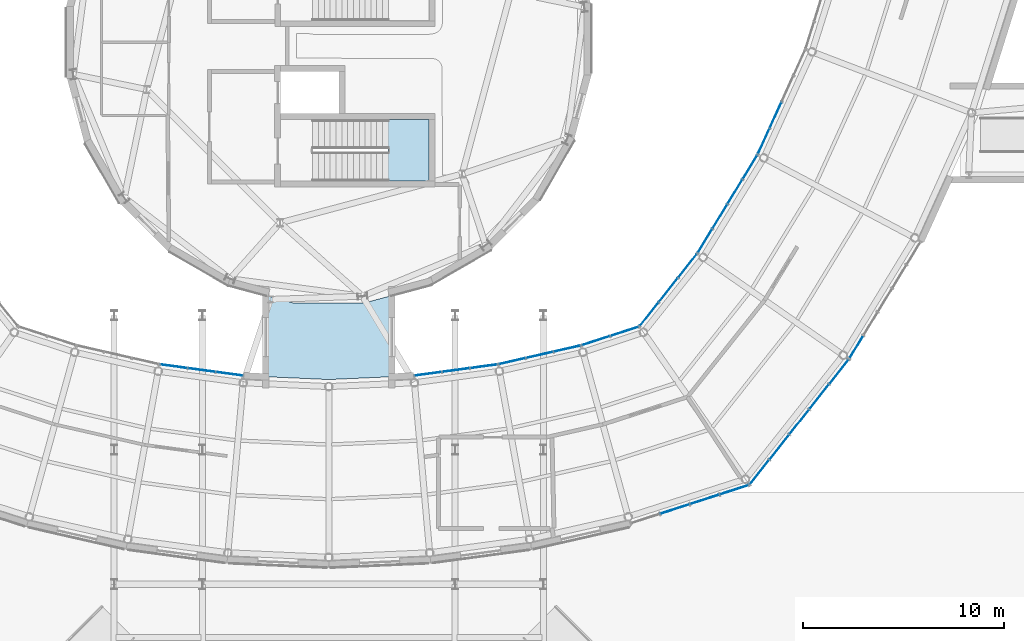
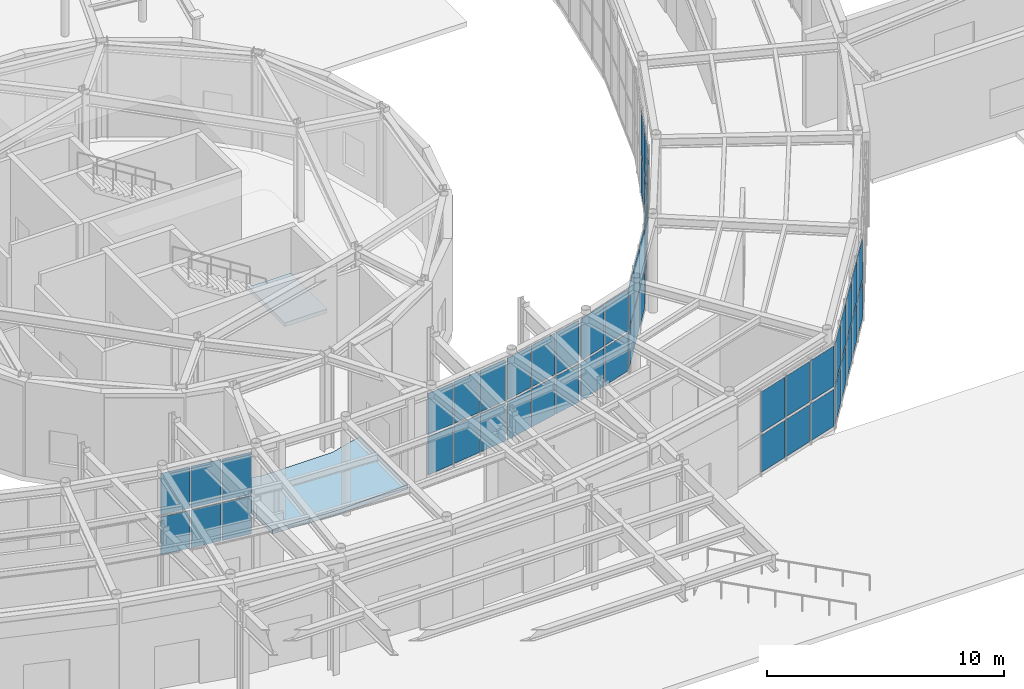
# One storey, part 58 of 97: 57 plates, 2 slabs, 11 elements without a shape of their own.
"""IFC4 building model written with IfcOpenShell, lengths in metres."""

from ifc_helpers import new_model, si_unit, direction, frame, origin, origin_2d, place, context, subcontext, project, spatial, polyline, rectangle, outline, extrude, material, layer, layer_set, type_object, element, aggregate, save


model = new_model("IFC4")

# Units and contexts
model_context = context("Model", 3, precision=1e-05, world=origin(), true_north=direction((0.0, 1.0)))
body_context = subcontext(model_context, "Body", "Model", "MODEL_VIEW")
ifc_project = project(units=[si_unit("LENGTHUNIT", "METRE"), si_unit("AREAUNIT", "SQUARE_METRE"), si_unit("VOLUMEUNIT", "CUBIC_METRE"), si_unit("PLANEANGLEUNIT", "RADIAN"), si_unit("MASSUNIT", "GRAM", prefix="KILO")], contexts=[model_context])

# Site, building, storey
site_placement = place(None, origin())
site = spatial("IfcSite", under=ifc_project, at=site_placement, CompositionType="ELEMENT")
building_placement = place(site_placement, origin())
building = spatial("IfcBuilding", under=site, at=building_placement, Name="Varnklinge Art Gallery", CompositionType="ELEMENT")
storey_placement = place(building_placement, origin())
storey = spatial("IfcBuildingStorey", under=building, at=storey_placement, Name="L00", CompositionType="ELEMENT", Elevation=0.0)

# Curtain wall, plates
ifc_material_1 = material(Name="Anodised Aluminium", Category="aluminium")
curtain_wall_type_1 = type_object("IfcCurtainWallType", Name="CW-R03", PredefinedType="USERDEFINED", material=ifc_material_1)
curtain_wall_1_placement = place(storey_placement, origin())
curtain_wall_1 = element("IfcCurtainWall", 1, at=curtain_wall_1_placement, inside=storey, type_object=curtain_wall_type_1, Name="L00 Curtain Wall CW-V2I-L00-01", ObjectType="UNITISED CURTAIN WALL", PredefinedType="USERDEFINED")
ifc_material_2 = material(Name="Insulated Low-E Triple Glazing", Category="glass")
ifc_layer_1 = layer(ifc_material_2, 0.031982421875)
ifc_layer_set_1 = layer_set([ifc_layer_1], Name="Insulated Low-E Triple Glazing")
plate_type_1 = type_object("IfcPlateType", Name="GLZ-32", PredefinedType="CURTAIN_PANEL", material=ifc_layer_set_1)
plate_1_placement = place(storey_placement, frame((93.385009765625, 27.2763671875, 0.1181640625), z_axis=(0.0, 0.0, 1.0), x_axis=(-0.620737354217, -0.784018582101, 0.0)))
plate_1 = element("IfcPlate", 2, at=plate_1_placement, type_object=plate_type_1, Name="CW-V2I-L00-01 Glazing Panel 1.1", PredefinedType="CURTAIN_PANEL", context=body_context, shape_type="SweptSolid", body=[
    extrude(rectangle(XDim=1.4658203125, YDim=0.031982421875, at=origin_2d()), origin(), (0.0, 0.0, 1.0), 1.950439453125),
])
plate_2_placement = place(storey_placement, frame((93.385009765625, 27.2763671875, 2.1845703125), z_axis=(0.0, 0.0, 1.0), x_axis=(-0.620737354217, -0.784018582101, 0.0)))
plate_2 = element("IfcPlate", 3, at=plate_2_placement, type_object=plate_type_1, Name="CW-V2I-L00-01 Glazing Panel 1.2", PredefinedType="CURTAIN_PANEL", context=body_context, shape_type="SweptSolid", body=[
    extrude(rectangle(XDim=1.4658203125, YDim=0.031982421875, at=origin_2d()), origin(), (0.0, 0.0, 1.0), 2.127685546875),
])
plate_3_placement = place(storey_placement, frame((92.430908203125, 26.0712890625, 0.1181640625), z_axis=(0.0, 0.0, 1.0), x_axis=(-0.620737354217, -0.784018582101, 0.0)))
plate_3 = element("IfcPlate", 4, at=plate_3_placement, type_object=plate_type_1, Name="CW-V2I-L00-01 Glazing Panel 2.1", PredefinedType="CURTAIN_PANEL", context=body_context, shape_type="SweptSolid", body=[
    extrude(rectangle(XDim=1.495849609375, YDim=0.031982421875, at=origin_2d()), origin(), (0.0, 0.0, 1.0), 1.950439453125),
])
plate_4_placement = place(storey_placement, frame((92.430908203125, 26.0712890625, 2.1845703125), z_axis=(0.0, 0.0, 1.0), x_axis=(-0.620737354217, -0.784018582101, 0.0)))
plate_4 = element("IfcPlate", 5, at=plate_4_placement, type_object=plate_type_1, Name="CW-V2I-L00-01 Glazing Panel 2.2", PredefinedType="CURTAIN_PANEL", context=body_context, shape_type="SweptSolid", body=[
    extrude(rectangle(XDim=1.495849609375, YDim=0.031982421875, at=origin_2d()), origin(), (0.0, 0.0, 1.0), 2.127685546875),
])
plate_5_placement = place(storey_placement, frame((91.47705078125, 24.866455078125, 0.1181640625), z_axis=(0.0, 0.0, 1.0), x_axis=(-0.620737354217, -0.784018582101, 0.0)))
plate_5 = element("IfcPlate", 6, at=plate_5_placement, type_object=plate_type_1, Name="CW-V2I-L00-01 Glazing Panel 3.1", PredefinedType="CURTAIN_PANEL", context=body_context, shape_type="SweptSolid", body=[
    extrude(rectangle(XDim=1.4658203125, YDim=0.031982421875, at=origin_2d()), origin(), (0.0, 0.0, 1.0), 1.950439453125),
])
plate_6_placement = place(storey_placement, frame((91.47705078125, 24.866455078125, 2.1845703125), z_axis=(0.0, 0.0, 1.0), x_axis=(-0.620737354217, -0.784018582101, 0.0)))
plate_6 = element("IfcPlate", 7, at=plate_6_placement, type_object=plate_type_1, Name="CW-V2I-L00-01 Glazing Panel 3.2", PredefinedType="CURTAIN_PANEL", context=body_context, shape_type="SweptSolid", body=[
    extrude(rectangle(XDim=1.4658203125, YDim=0.031982421875, at=origin_2d()), origin(), (0.0, 0.0, 1.0), 2.127685546875),
])
aggregate(curtain_wall_1, [plate_1, plate_2, plate_3, plate_4, plate_5, plate_6])

curtain_wall_2_placement = place(storey_placement, origin())
curtain_wall_2 = element("IfcCurtainWall", 8, at=curtain_wall_2_placement, inside=storey, type_object=curtain_wall_type_1, Name="L00 Curtain Wall CW-V2I-L00-02", ObjectType="UNITISED CURTAIN WALL", PredefinedType="USERDEFINED")
plate_7_placement = place(storey_placement, frame((96.496826171875, 32.19091796875, 0.1181640625), z_axis=(0.0, 0.0, 1.0), x_axis=(-0.520860651188, -0.85364171761, 0.0)))
plate_7 = element("IfcPlate", 9, at=plate_7_placement, type_object=plate_type_1, Name="CW-V2I-L00-02 Glazing Panel 1.1", PredefinedType="CURTAIN_PANEL", context=body_context, shape_type="SweptSolid", body=[
    extrude(rectangle(XDim=1.355712890625, YDim=0.031982421875, at=origin_2d()), origin(), (0.0, 0.0, 1.0), 1.950439453125),
])
plate_8_placement = place(storey_placement, frame((96.496826171875, 32.19091796875, 2.1845703125), z_axis=(0.0, 0.0, 1.0), x_axis=(-0.520860651188, -0.85364171761, 0.0)))
plate_8 = element("IfcPlate", 10, at=plate_8_placement, type_object=plate_type_1, Name="CW-V2I-L00-02 Glazing Panel 1.2", PredefinedType="CURTAIN_PANEL", context=body_context, shape_type="SweptSolid", body=[
    extrude(rectangle(XDim=1.355712890625, YDim=0.031982421875, at=origin_2d()), origin(), (0.0, 0.0, 1.0), 2.127685546875),
])
plate_9_placement = place(storey_placement, frame((95.753662109375, 30.97314453125, 0.1181640625), z_axis=(0.0, 0.0, 1.0), x_axis=(-0.520860651188, -0.85364171761, 0.0)))
plate_9 = element("IfcPlate", 11, at=plate_9_placement, type_object=plate_type_1, Name="CW-V2I-L00-02 Glazing Panel 2.1", PredefinedType="CURTAIN_PANEL", context=body_context, shape_type="SweptSolid", body=[
    extrude(rectangle(XDim=1.3857421875, YDim=0.031982421875, at=origin_2d()), origin(), (0.0, 0.0, 1.0), 1.950439453125),
])
plate_10_placement = place(storey_placement, frame((95.753662109375, 30.97314453125, 2.1845703125), z_axis=(0.0, 0.0, 1.0), x_axis=(-0.520860651188, -0.85364171761, 0.0)))
plate_10 = element("IfcPlate", 12, at=plate_10_placement, type_object=plate_type_1, Name="CW-V2I-L00-02 Glazing Panel 2.2", PredefinedType="CURTAIN_PANEL", context=body_context, shape_type="SweptSolid", body=[
    extrude(rectangle(XDim=1.3857421875, YDim=0.031982421875, at=origin_2d()), origin(), (0.0, 0.0, 1.0), 2.127685546875),
])
plate_11_placement = place(storey_placement, frame((95.002685546875, 29.742431640625, 0.1181640625), z_axis=(0.0, 0.0, 1.0), x_axis=(-0.520860651188, -0.85364171761, 0.0)))
plate_11 = element("IfcPlate", 13, at=plate_11_placement, type_object=plate_type_1, Name="CW-V2I-L00-02 Glazing Panel 3.1", PredefinedType="CURTAIN_PANEL", context=body_context, shape_type="SweptSolid", body=[
    extrude(rectangle(XDim=1.3857421875, YDim=0.031982421875, at=origin_2d()), origin(), (0.0, 0.0, 1.0), 1.950439453125),
])
plate_12_placement = place(storey_placement, frame((95.002685546875, 29.742431640625, 2.1845703125), z_axis=(0.0, 0.0, 1.0), x_axis=(-0.520860651188, -0.85364171761, 0.0)))
plate_12 = element("IfcPlate", 14, at=plate_12_placement, type_object=plate_type_1, Name="CW-V2I-L00-02 Glazing Panel 3.2", PredefinedType="CURTAIN_PANEL", context=body_context, shape_type="SweptSolid", body=[
    extrude(rectangle(XDim=1.3857421875, YDim=0.031982421875, at=origin_2d()), origin(), (0.0, 0.0, 1.0), 2.127685546875),
])
plate_13_placement = place(storey_placement, frame((94.259521484375, 28.524658203125, 0.1181640625), z_axis=(0.0, 0.0, 1.0), x_axis=(-0.520860651188, -0.85364171761, 0.0)))
plate_13 = element("IfcPlate", 15, at=plate_13_placement, type_object=plate_type_1, Name="CW-V2I-L00-02 Glazing Panel 4.1", PredefinedType="CURTAIN_PANEL", context=body_context, shape_type="SweptSolid", body=[
    extrude(rectangle(XDim=1.355712890625, YDim=0.031982421875, at=origin_2d()), origin(), (0.0, 0.0, 1.0), 1.950439453125),
])
plate_14_placement = place(storey_placement, frame((94.259521484375, 28.524658203125, 2.1845703125), z_axis=(0.0, 0.0, 1.0), x_axis=(-0.520860651188, -0.85364171761, 0.0)))
plate_14 = element("IfcPlate", 16, at=plate_14_placement, type_object=plate_type_1, Name="CW-V2I-L00-02 Glazing Panel 4.2", PredefinedType="CURTAIN_PANEL", context=body_context, shape_type="SweptSolid", body=[
    extrude(rectangle(XDim=1.355712890625, YDim=0.031982421875, at=origin_2d()), origin(), (0.0, 0.0, 1.0), 2.127685546875),
])
aggregate(curtain_wall_2, [plate_7, plate_8, plate_9, plate_10, plate_11, plate_12, plate_13, plate_14])

curtain_wall_3_placement = place(storey_placement, origin())
curtain_wall_3 = element("IfcCurtainWall", 17, at=curtain_wall_3_placement, inside=storey, type_object=curtain_wall_type_1, Name="L00 Curtain Wall CW-V2I-L00-03", ObjectType="UNITISED CURTAIN WALL", PredefinedType="USERDEFINED")
plate_15_placement = place(storey_placement, frame((97.7744140625, 34.788330078125, 0.1181640625), z_axis=(0.0, 0.0, 1.0), x_axis=(-0.413422293217, -0.910539404678, 0.0)))
plate_15 = element("IfcPlate", 18, at=plate_15_placement, type_object=plate_type_1, Name="CW-V2I-L00-03 Glazing Panel 3.1", PredefinedType="CURTAIN_PANEL", context=body_context, shape_type="SweptSolid", body=[
    extrude(rectangle(XDim=1.3857421875, YDim=0.031982421875, at=origin_2d()), origin(), (0.0, 0.0, 1.0), 1.950439453125),
])
plate_16_placement = place(storey_placement, frame((97.7744140625, 34.788330078125, 2.1845703125), z_axis=(0.0, 0.0, 1.0), x_axis=(-0.413422293217, -0.910539404678, 0.0)))
plate_16 = element("IfcPlate", 19, at=plate_16_placement, type_object=plate_type_1, Name="CW-V2I-L00-03 Glazing Panel 3.2", PredefinedType="CURTAIN_PANEL", context=body_context, shape_type="SweptSolid", body=[
    extrude(rectangle(XDim=1.3857421875, YDim=0.031982421875, at=origin_2d()), origin(), (0.0, 0.0, 1.0), 2.127685546875),
])
plate_17_placement = place(storey_placement, frame((97.1845703125, 33.4892578125, 0.1181640625), z_axis=(0.0, 0.0, 1.0), x_axis=(-0.413422293217, -0.910539404678, 0.0)))
plate_17 = element("IfcPlate", 20, at=plate_17_placement, type_object=plate_type_1, Name="CW-V2I-L00-03 Glazing Panel 4.1", PredefinedType="CURTAIN_PANEL", context=body_context, shape_type="SweptSolid", body=[
    extrude(rectangle(XDim=1.355712890625, YDim=0.031982421875, at=origin_2d()), origin(), (0.0, 0.0, 1.0), 1.950439453125),
])
plate_18_placement = place(storey_placement, frame((97.1845703125, 33.4892578125, 2.1845703125), z_axis=(0.0, 0.0, 1.0), x_axis=(-0.413422293217, -0.910539404678, 0.0)))
plate_18 = element("IfcPlate", 21, at=plate_18_placement, type_object=plate_type_1, Name="CW-V2I-L00-03 Glazing Panel 4.2", PredefinedType="CURTAIN_PANEL", context=body_context, shape_type="SweptSolid", body=[
    extrude(rectangle(XDim=1.355712890625, YDim=0.031982421875, at=origin_2d()), origin(), (0.0, 0.0, 1.0), 2.127685546875),
])
aggregate(curtain_wall_3, [plate_15, plate_16, plate_17, plate_18])

curtain_wall_4_placement = place(storey_placement, origin())
curtain_wall_4 = element("IfcCurtainWall", 22, at=curtain_wall_4_placement, inside=storey, type_object=curtain_wall_type_1, Name="L00 Curtain Wall CW-V2I-L00-35", ObjectType="UNITISED CURTAIN WALL", PredefinedType="USERDEFINED")
plate_19_placement = place(storey_placement, frame((70.54638671875, 21.89111328125, 0.1181640625), z_axis=(0.0, 0.0, 1.0), x_axis=(-0.990983199715, 0.133986185418, 0.0)))
plate_19 = element("IfcPlate", 23, at=plate_19_placement, type_object=plate_type_1, Name="CW-V2I-L00-35 Glazing Panel 1.1", PredefinedType="CURTAIN_PANEL", context=body_context, shape_type="SweptSolid", body=[
    extrude(rectangle(XDim=1.328125, YDim=0.031982421875, at=origin_2d()), origin(), (0.0, 0.0, 1.0), 1.950439453125),
])
plate_20_placement = place(storey_placement, frame((70.54638671875, 21.89111328125, 2.1845703125), z_axis=(0.0, 0.0, 1.0), x_axis=(-0.990983199715, 0.133986185418, 0.0)))
plate_20 = element("IfcPlate", 24, at=plate_20_placement, type_object=plate_type_1, Name="CW-V2I-L00-35 Glazing Panel 1.2", PredefinedType="CURTAIN_PANEL", context=body_context, shape_type="SweptSolid", body=[
    extrude(rectangle(XDim=1.328125, YDim=0.031982421875, at=origin_2d()), origin(), (0.0, 0.0, 1.0), 2.127685546875),
])
plate_21_placement = place(storey_placement, frame((69.159912109375, 22.07861328125, 0.1181640625), z_axis=(0.0, 0.0, 1.0), x_axis=(-0.990983199715, 0.133986185418, 0.0)))
plate_21 = element("IfcPlate", 25, at=plate_21_placement, type_object=plate_type_1, Name="CW-V2I-L00-35 Glazing Panel 2.1", PredefinedType="CURTAIN_PANEL", context=body_context, shape_type="SweptSolid", body=[
    extrude(rectangle(XDim=1.358154296875, YDim=0.031982421875, at=origin_2d()), origin(), (0.0, 0.0, 1.0), 1.950439453125),
])
plate_22_placement = place(storey_placement, frame((69.159912109375, 22.07861328125, 2.1845703125), z_axis=(0.0, 0.0, 1.0), x_axis=(-0.990983199715, 0.133986185418, 0.0)))
plate_22 = element("IfcPlate", 26, at=plate_22_placement, type_object=plate_type_1, Name="CW-V2I-L00-35 Glazing Panel 2.2", PredefinedType="CURTAIN_PANEL", context=body_context, shape_type="SweptSolid", body=[
    extrude(rectangle(XDim=1.358154296875, YDim=0.031982421875, at=origin_2d()), origin(), (0.0, 0.0, 1.0), 2.127685546875),
])
plate_23_placement = place(storey_placement, frame((67.7734375, 22.265869140625, 0.1181640625), z_axis=(0.0, 0.0, 1.0), x_axis=(-0.990983199715, 0.133986185418, 0.0)))
plate_23 = element("IfcPlate", 27, at=plate_23_placement, type_object=plate_type_1, Name="CW-V2I-L00-35 Glazing Panel 3.1", PredefinedType="CURTAIN_PANEL", context=body_context, shape_type="SweptSolid", body=[
    extrude(rectangle(XDim=1.328125, YDim=0.031982421875, at=origin_2d()), origin(), (0.0, 0.0, 1.0), 1.950439453125),
])
plate_24_placement = place(storey_placement, frame((67.7734375, 22.265869140625, 2.1845703125), z_axis=(0.0, 0.0, 1.0), x_axis=(-0.990983199715, 0.133986185418, 0.0)))
plate_24 = element("IfcPlate", 28, at=plate_24_placement, type_object=plate_type_1, Name="CW-V2I-L00-35 Glazing Panel 3.2", PredefinedType="CURTAIN_PANEL", context=body_context, shape_type="SweptSolid", body=[
    extrude(rectangle(XDim=1.328125, YDim=0.031982421875, at=origin_2d()), origin(), (0.0, 0.0, 1.0), 2.127685546875),
])
aggregate(curtain_wall_4, [plate_19, plate_20, plate_21, plate_22, plate_23, plate_24])

curtain_wall_5_placement = place(storey_placement, origin())
curtain_wall_5 = element("IfcCurtainWall", 29, at=curtain_wall_5_placement, inside=storey, type_object=curtain_wall_type_1, Name="L00 Curtain Wall CW-V2I-L00-38", ObjectType="UNITISED CURTAIN WALL", PredefinedType="USERDEFINED")
plate_25_placement = place(storey_placement, frame((83.2265625, 22.265869140625, 0.1181640625), z_axis=(0.0, 0.0, 1.0), x_axis=(-0.990983199715, -0.133986185418, 0.0)))
plate_25 = element("IfcPlate", 30, at=plate_25_placement, type_object=plate_type_1, Name="CW-V2I-L00-38 Glazing Panel 1.1", PredefinedType="CURTAIN_PANEL", context=body_context, shape_type="SweptSolid", body=[
    extrude(rectangle(XDim=1.328125, YDim=0.031982421875, at=origin_2d()), origin(), (0.0, 0.0, 1.0), 1.950439453125),
])
plate_26_placement = place(storey_placement, frame((83.2265625, 22.265869140625, 2.1845703125), z_axis=(0.0, 0.0, 1.0), x_axis=(-0.990983199715, -0.133986185418, 0.0)))
plate_26 = element("IfcPlate", 31, at=plate_26_placement, type_object=plate_type_1, Name="CW-V2I-L00-38 Glazing Panel 1.2", PredefinedType="CURTAIN_PANEL", context=body_context, shape_type="SweptSolid", body=[
    extrude(rectangle(XDim=1.328125, YDim=0.031982421875, at=origin_2d()), origin(), (0.0, 0.0, 1.0), 2.127685546875),
])
plate_27_placement = place(storey_placement, frame((81.840087890625, 22.07861328125, 0.1181640625), z_axis=(0.0, 0.0, 1.0), x_axis=(-0.990983199715, -0.133986185418, 0.0)))
plate_27 = element("IfcPlate", 32, at=plate_27_placement, type_object=plate_type_1, Name="CW-V2I-L00-38 Glazing Panel 2.1", PredefinedType="CURTAIN_PANEL", context=body_context, shape_type="SweptSolid", body=[
    extrude(rectangle(XDim=1.358154296875, YDim=0.031982421875, at=origin_2d()), origin(), (0.0, 0.0, 1.0), 1.950439453125),
])
plate_28_placement = place(storey_placement, frame((81.840087890625, 22.07861328125, 2.1845703125), z_axis=(0.0, 0.0, 1.0), x_axis=(-0.990983199715, -0.133986185418, 0.0)))
plate_28 = element("IfcPlate", 33, at=plate_28_placement, type_object=plate_type_1, Name="CW-V2I-L00-38 Glazing Panel 2.2", PredefinedType="CURTAIN_PANEL", context=body_context, shape_type="SweptSolid", body=[
    extrude(rectangle(XDim=1.358154296875, YDim=0.031982421875, at=origin_2d()), origin(), (0.0, 0.0, 1.0), 2.127685546875),
])
plate_29_placement = place(storey_placement, frame((80.45361328125, 21.89111328125, 0.1181640625), z_axis=(0.0, 0.0, 1.0), x_axis=(-0.990983199715, -0.133986185418, 0.0)))
plate_29 = element("IfcPlate", 34, at=plate_29_placement, type_object=plate_type_1, Name="CW-V2I-L00-38 Glazing Panel 3.1", PredefinedType="CURTAIN_PANEL", context=body_context, shape_type="SweptSolid", body=[
    extrude(rectangle(XDim=1.328125, YDim=0.031982421875, at=origin_2d()), origin(), (0.0, 0.0, 1.0), 1.950439453125),
])
plate_30_placement = place(storey_placement, frame((80.45361328125, 21.89111328125, 2.1845703125), z_axis=(0.0, 0.0, 1.0), x_axis=(-0.990983199715, -0.133986185418, 0.0)))
plate_30 = element("IfcPlate", 35, at=plate_30_placement, type_object=plate_type_1, Name="CW-V2I-L00-38 Glazing Panel 3.2", PredefinedType="CURTAIN_PANEL", context=body_context, shape_type="SweptSolid", body=[
    extrude(rectangle(XDim=1.328125, YDim=0.031982421875, at=origin_2d()), origin(), (0.0, 0.0, 1.0), 2.127685546875),
])
aggregate(curtain_wall_5, [plate_25, plate_26, plate_27, plate_28, plate_29, plate_30])

curtain_wall_6_placement = place(storey_placement, origin())
curtain_wall_6 = element("IfcCurtainWall", 36, at=curtain_wall_6_placement, inside=storey, type_object=curtain_wall_type_1, Name="L00 Curtain Wall CW-V2I-L00-39", ObjectType="UNITISED CURTAIN WALL", PredefinedType="USERDEFINED")
plate_31_placement = place(storey_placement, frame((87.37451171875, 23.143798828125, 0.1181640625), z_axis=(0.0, 0.0, 1.0), x_axis=(-0.975071959883, -0.221888875454, 0.0)))
plate_31 = element("IfcPlate", 37, at=plate_31_placement, type_object=plate_type_1, Name="CW-V2I-L00-39 Glazing Panel 1.1", PredefinedType="CURTAIN_PANEL", context=body_context, shape_type="SweptSolid", body=[
    extrude(rectangle(XDim=1.328125, YDim=0.031982421875, at=origin_2d()), origin(), (0.0, 0.0, 1.0), 1.950439453125),
])
plate_32_placement = place(storey_placement, frame((87.37451171875, 23.143798828125, 2.1845703125), z_axis=(0.0, 0.0, 1.0), x_axis=(-0.975071959883, -0.221888875454, 0.0)))
plate_32 = element("IfcPlate", 38, at=plate_32_placement, type_object=plate_type_1, Name="CW-V2I-L00-39 Glazing Panel 1.2", PredefinedType="CURTAIN_PANEL", context=body_context, shape_type="SweptSolid", body=[
    extrude(rectangle(XDim=1.328125, YDim=0.031982421875, at=origin_2d()), origin(), (0.0, 0.0, 1.0), 2.127685546875),
])
plate_33_placement = place(storey_placement, frame((86.01025390625, 22.83349609375, 0.1181640625), z_axis=(0.0, 0.0, 1.0), x_axis=(-0.975071959883, -0.221888875454, 0.0)))
plate_33 = element("IfcPlate", 39, at=plate_33_placement, type_object=plate_type_1, Name="CW-V2I-L00-39 Glazing Panel 2.1", PredefinedType="CURTAIN_PANEL", context=body_context, shape_type="SweptSolid", body=[
    extrude(rectangle(XDim=1.358154296875, YDim=0.031982421875, at=origin_2d()), origin(), (0.0, 0.0, 1.0), 1.950439453125),
])
plate_34_placement = place(storey_placement, frame((86.01025390625, 22.83349609375, 2.1845703125), z_axis=(0.0, 0.0, 1.0), x_axis=(-0.975071959883, -0.221888875454, 0.0)))
plate_34 = element("IfcPlate", 40, at=plate_34_placement, type_object=plate_type_1, Name="CW-V2I-L00-39 Glazing Panel 2.2", PredefinedType="CURTAIN_PANEL", context=body_context, shape_type="SweptSolid", body=[
    extrude(rectangle(XDim=1.358154296875, YDim=0.031982421875, at=origin_2d()), origin(), (0.0, 0.0, 1.0), 2.127685546875),
])
plate_35_placement = place(storey_placement, frame((84.64599609375, 22.52294921875, 0.1181640625), z_axis=(0.0, 0.0, 1.0), x_axis=(-0.975071959883, -0.221888875454, 0.0)))
plate_35 = element("IfcPlate", 41, at=plate_35_placement, type_object=plate_type_1, Name="CW-V2I-L00-39 Glazing Panel 3.1", PredefinedType="CURTAIN_PANEL", context=body_context, shape_type="SweptSolid", body=[
    extrude(rectangle(XDim=1.328125, YDim=0.031982421875, at=origin_2d()), origin(), (0.0, 0.0, 1.0), 1.950439453125),
])
plate_36_placement = place(storey_placement, frame((84.64599609375, 22.52294921875, 2.1845703125), z_axis=(0.0, 0.0, 1.0), x_axis=(-0.975071959883, -0.221888875454, 0.0)))
plate_36 = element("IfcPlate", 42, at=plate_36_placement, type_object=plate_type_1, Name="CW-V2I-L00-39 Glazing Panel 3.2", PredefinedType="CURTAIN_PANEL", context=body_context, shape_type="SweptSolid", body=[
    extrude(rectangle(XDim=1.328125, YDim=0.031982421875, at=origin_2d()), origin(), (0.0, 0.0, 1.0), 2.127685546875),
])
aggregate(curtain_wall_6, [plate_31, plate_32, plate_33, plate_34, plate_35, plate_36])

curtain_wall_7_placement = place(storey_placement, origin())
curtain_wall_7 = element("IfcCurtainWall", 43, at=curtain_wall_7_placement, inside=storey, type_object=curtain_wall_type_1, Name="L00 Curtain Wall CW-V2I-L00-40", ObjectType="UNITISED CURTAIN WALL", PredefinedType="USERDEFINED")
plate_37_placement = place(storey_placement, frame((90.244873046875, 24.006103515625, 0.1181640625), z_axis=(0.0, 0.0, 1.0), x_axis=(-0.951272019071, -0.30835295642, 0.0)))
plate_37 = element("IfcPlate", 44, at=plate_37_placement, type_object=plate_type_1, Name="CW-V2I-L00-40 Glazing Panel 1.1", PredefinedType="CURTAIN_PANEL", context=body_context, shape_type="SweptSolid", body=[
    extrude(rectangle(XDim=1.442138671875, YDim=0.031982421875, at=origin_2d()), origin(), (0.0, 0.0, 1.0), 1.950439453125),
])
plate_38_placement = place(storey_placement, frame((90.244873046875, 24.006103515625, 2.1845703125), z_axis=(0.0, 0.0, 1.0), x_axis=(-0.951272019071, -0.30835295642, 0.0)))
plate_38 = element("IfcPlate", 45, at=plate_38_placement, type_object=plate_type_1, Name="CW-V2I-L00-40 Glazing Panel 1.2", PredefinedType="CURTAIN_PANEL", context=body_context, shape_type="SweptSolid", body=[
    extrude(rectangle(XDim=1.442138671875, YDim=0.031982421875, at=origin_2d()), origin(), (0.0, 0.0, 1.0), 2.127685546875),
])
plate_39_placement = place(storey_placement, frame((88.819580078125, 23.54443359375, 0.1181640625), z_axis=(0.0, 0.0, 1.0), x_axis=(-0.951272019071, -0.30835295642, 0.0)))
plate_39 = element("IfcPlate", 46, at=plate_39_placement, type_object=plate_type_1, Name="CW-V2I-L00-40 Glazing Panel 2.1", PredefinedType="CURTAIN_PANEL", context=body_context, shape_type="SweptSolid", body=[
    extrude(rectangle(XDim=1.442138671875, YDim=0.031982421875, at=origin_2d()), origin(), (0.0, 0.0, 1.0), 1.950439453125),
])
plate_40_placement = place(storey_placement, frame((88.819580078125, 23.54443359375, 2.1845703125), z_axis=(0.0, 0.0, 1.0), x_axis=(-0.951272019071, -0.30835295642, 0.0)))
plate_40 = element("IfcPlate", 47, at=plate_40_placement, type_object=plate_type_1, Name="CW-V2I-L00-40 Glazing Panel 2.2", PredefinedType="CURTAIN_PANEL", context=body_context, shape_type="SweptSolid", body=[
    extrude(rectangle(XDim=1.442138671875, YDim=0.031982421875, at=origin_2d()), origin(), (0.0, 0.0, 1.0), 2.127685546875),
])
aggregate(curtain_wall_7, [plate_37, plate_38, plate_39, plate_40])

ifc_material_3 = material(Name="Anodised Aluminium", Category="aluminium")
curtain_wall_type_2 = type_object("IfcCurtainWallType", Name="CW-R01", PredefinedType="USERDEFINED", material=ifc_material_3)
curtain_wall_8_placement = place(storey_placement, origin())
curtain_wall_8 = element("IfcCurtainWall", 48, at=curtain_wall_8_placement, inside=storey, type_object=curtain_wall_type_2, Name="L00 Curtain Wall CW-V2O-L00-01", ObjectType="UNITISED CURTAIN WALL", PredefinedType="USERDEFINED")
ifc_material_4 = material(Name="Insulated Low-E Triple Glazing", Category="glass")
ifc_layer_2 = layer(ifc_material_4, 0.0380859375)
ifc_layer_set_2 = layer_set([ifc_layer_2], Name="Insulated Low-E Triple Glazing")
plate_type_2 = type_object("IfcPlateType", Name="GLZ-38", PredefinedType="CURTAIN_PANEL", material=ifc_layer_set_2)
plate_41_placement = place(storey_placement, frame((96.977294921875, 16.992919921875, 0.14794921875), z_axis=(0.0, 0.0, 1.0), x_axis=(0.620737354217, 0.784018582101, 0.0)))
plate_41 = element("IfcPlate", 49, at=plate_41_placement, type_object=plate_type_2, Name="CW-V2O-L00-01 Glazing Panel 1.1", PredefinedType="CURTAIN_PANEL", context=body_context, shape_type="SweptSolid", body=[
    extrude(rectangle(XDim=1.506591796875, YDim=0.0380859375, at=origin_2d()), origin(), (0.0, 0.0, 1.0), 1.905517578125),
])
plate_42_placement = place(storey_placement, frame((96.977294921875, 16.992919921875, 2.199462890625), z_axis=(0.0, 0.0, 1.0), x_axis=(0.620737354217, 0.784018582101, 0.0)))
plate_42 = element("IfcPlate", 50, at=plate_42_placement, type_object=plate_type_2, Name="CW-V2O-L00-01 Glazing Panel 1.2", PredefinedType="CURTAIN_PANEL", context=body_context, shape_type="SweptSolid", body=[
    extrude(rectangle(XDim=1.506591796875, YDim=0.0380859375, at=origin_2d()), origin(), (0.0, 0.0, 1.0), 2.08251953125),
])
plate_43_placement = place(storey_placement, frame((97.96044921875, 18.234619140625, 0.14794921875), z_axis=(0.0, 0.0, 1.0), x_axis=(0.620737354217, 0.784018582101, 0.0)))
plate_43 = element("IfcPlate", 51, at=plate_43_placement, type_object=plate_type_2, Name="CW-V2O-L00-01 Glazing Panel 2.1", PredefinedType="CURTAIN_PANEL", context=body_context, shape_type="SweptSolid", body=[
    extrude(rectangle(XDim=1.5390625, YDim=0.0380859375, at=origin_2d()), origin(), (0.0, 0.0, 1.0), 1.905517578125),
])
plate_44_placement = place(storey_placement, frame((97.96044921875, 18.234619140625, 2.199462890625), z_axis=(0.0, 0.0, 1.0), x_axis=(0.620737354217, 0.784018582101, 0.0)))
plate_44 = element("IfcPlate", 52, at=plate_44_placement, type_object=plate_type_2, Name="CW-V2O-L00-01 Glazing Panel 2.2", PredefinedType="CURTAIN_PANEL", context=body_context, shape_type="SweptSolid", body=[
    extrude(rectangle(XDim=1.5390625, YDim=0.0380859375, at=origin_2d()), origin(), (0.0, 0.0, 1.0), 2.08251953125),
])
plate_45_placement = place(storey_placement, frame((98.953857421875, 19.489013671875, 0.14794921875), z_axis=(0.0, 0.0, 1.0), x_axis=(0.620737354217, 0.784018582101, 0.0)))
plate_45 = element("IfcPlate", 53, at=plate_45_placement, type_object=plate_type_2, Name="CW-V2O-L00-01 Glazing Panel 3.1", PredefinedType="CURTAIN_PANEL", context=body_context, shape_type="SweptSolid", body=[
    extrude(rectangle(XDim=1.5390625, YDim=0.0380859375, at=origin_2d()), origin(), (0.0, 0.0, 1.0), 1.905517578125),
])
plate_46_placement = place(storey_placement, frame((98.953857421875, 19.489013671875, 2.199462890625), z_axis=(0.0, 0.0, 1.0), x_axis=(0.620737354217, 0.784018582101, 0.0)))
plate_46 = element("IfcPlate", 54, at=plate_46_placement, type_object=plate_type_2, Name="CW-V2O-L00-01 Glazing Panel 3.2", PredefinedType="CURTAIN_PANEL", context=body_context, shape_type="SweptSolid", body=[
    extrude(rectangle(XDim=1.5390625, YDim=0.0380859375, at=origin_2d()), origin(), (0.0, 0.0, 1.0), 2.08251953125),
])
plate_47_placement = place(storey_placement, frame((99.947021484375, 20.743408203125, 0.14794921875), z_axis=(0.0, 0.0, 1.0), x_axis=(0.620737354217, 0.784018582101, 0.0)))
plate_47 = element("IfcPlate", 55, at=plate_47_placement, type_object=plate_type_2, Name="CW-V2O-L00-01 Glazing Panel 4.1", PredefinedType="CURTAIN_PANEL", context=body_context, shape_type="SweptSolid", body=[
    extrude(rectangle(XDim=1.5390625, YDim=0.0380859375, at=origin_2d()), origin(), (0.0, 0.0, 1.0), 1.905517578125),
])
plate_48_placement = place(storey_placement, frame((99.947021484375, 20.743408203125, 2.199462890625), z_axis=(0.0, 0.0, 1.0), x_axis=(0.620737354217, 0.784018582101, 0.0)))
plate_48 = element("IfcPlate", 56, at=plate_48_placement, type_object=plate_type_2, Name="CW-V2O-L00-01 Glazing Panel 4.2", PredefinedType="CURTAIN_PANEL", context=body_context, shape_type="SweptSolid", body=[
    extrude(rectangle(XDim=1.5390625, YDim=0.0380859375, at=origin_2d()), origin(), (0.0, 0.0, 1.0), 2.08251953125),
])
plate_49_placement = place(storey_placement, frame((100.930419921875, 21.985107421875, 0.14794921875), z_axis=(0.0, 0.0, 1.0), x_axis=(0.620737354217, 0.784018582101, 0.0)))
plate_49 = element("IfcPlate", 57, at=plate_49_placement, type_object=plate_type_2, Name="CW-V2O-L00-01 Glazing Panel 5.1", PredefinedType="CURTAIN_PANEL", context=body_context, shape_type="SweptSolid", body=[
    extrude(rectangle(XDim=1.506591796875, YDim=0.0380859375, at=origin_2d()), origin(), (0.0, 0.0, 1.0), 1.905517578125),
])
plate_50_placement = place(storey_placement, frame((100.930419921875, 21.985107421875, 2.199462890625), z_axis=(0.0, 0.0, 1.0), x_axis=(0.620737354217, 0.784018582101, 0.0)))
plate_50 = element("IfcPlate", 58, at=plate_50_placement, type_object=plate_type_2, Name="CW-V2O-L00-01 Glazing Panel 5.2", PredefinedType="CURTAIN_PANEL", context=body_context, shape_type="SweptSolid", body=[
    extrude(rectangle(XDim=1.506591796875, YDim=0.0380859375, at=origin_2d()), origin(), (0.0, 0.0, 1.0), 2.08251953125),
])
aggregate(curtain_wall_8, [plate_41, plate_42, plate_43, plate_44, plate_45, plate_46, plate_47, plate_48, plate_49, plate_50])

# Curtain wall, plate
curtain_wall_9_placement = place(storey_placement, origin())
curtain_wall_9 = element("IfcCurtainWall", 59, at=curtain_wall_9_placement, inside=storey, type_object=curtain_wall_type_2, Name="L00 Curtain Wall CW-V2O-L00-02", ObjectType="UNITISED CURTAIN WALL", PredefinedType="USERDEFINED")
plate_51_placement = place(storey_placement, frame((101.80419921875, 23.226806640625, 0.14794921875), z_axis=(0.0, 0.0, 1.0), x_axis=(0.520860651188, 0.85364171761, 0.0)))
plate_51 = element("IfcPlate", 60, at=plate_51_placement, type_object=plate_type_2, Name="CW-V2O-L00-02 Glazing Panel 1.1", PredefinedType="CURTAIN_PANEL", context=body_context, shape_type="SweptSolid", body=[
    extrude(rectangle(XDim=1.2841796875, YDim=0.0380859375, at=origin_2d()), origin(), (0.0, 0.0, 1.0), 1.905517578125),
])
aggregate(curtain_wall_9, [plate_51])

# Curtain wall, plates
curtain_wall_10_placement = place(storey_placement, origin())
curtain_wall_10 = element("IfcCurtainWall", 61, at=curtain_wall_10_placement, inside=storey, type_object=curtain_wall_type_2, Name="L00 Curtain Wall CW-V2O-L00-40", ObjectType="UNITISED CURTAIN WALL", PredefinedType="USERDEFINED")
plate_52_placement = place(storey_placement, frame((92.753173828125, 15.14794921875, 0.14794921875), z_axis=(0.0, 0.0, 1.0), x_axis=(0.951272019071, 0.30835295642, 0.0)))
plate_52 = element("IfcPlate", 62, at=plate_52_placement, type_object=plate_type_2, Name="CW-V2O-L00-40 Glazing Panel 2.1", PredefinedType="CURTAIN_PANEL", context=body_context, shape_type="SweptSolid", body=[
    extrude(rectangle(XDim=1.502197265625, YDim=0.0380859375, at=origin_2d()), origin(), (0.0, 0.0, 1.0), 1.905517578125),
])
plate_53_placement = place(storey_placement, frame((92.753173828125, 15.14794921875, 2.199462890625), z_axis=(0.0, 0.0, 1.0), x_axis=(0.951272019071, 0.30835295642, 0.0)))
plate_53 = element("IfcPlate", 63, at=plate_53_placement, type_object=plate_type_2, Name="CW-V2O-L00-40 Glazing Panel 2.2", PredefinedType="CURTAIN_PANEL", context=body_context, shape_type="SweptSolid", body=[
    extrude(rectangle(XDim=1.502197265625, YDim=0.0380859375, at=origin_2d()), origin(), (0.0, 0.0, 1.0), 2.08251953125),
])
plate_54_placement = place(storey_placement, frame((94.239990234375, 15.6298828125, 0.14794921875), z_axis=(0.0, 0.0, 1.0), x_axis=(0.951272019071, 0.30835295642, 0.0)))
plate_54 = element("IfcPlate", 64, at=plate_54_placement, type_object=plate_type_2, Name="CW-V2O-L00-40 Glazing Panel 3.1", PredefinedType="CURTAIN_PANEL", context=body_context, shape_type="SweptSolid", body=[
    extrude(rectangle(XDim=1.502197265625, YDim=0.0380859375, at=origin_2d()), origin(), (0.0, 0.0, 1.0), 1.905517578125),
])
plate_55_placement = place(storey_placement, frame((94.239990234375, 15.6298828125, 2.199462890625), z_axis=(0.0, 0.0, 1.0), x_axis=(0.951272019071, 0.30835295642, 0.0)))
plate_55 = element("IfcPlate", 65, at=plate_55_placement, type_object=plate_type_2, Name="CW-V2O-L00-40 Glazing Panel 3.2", PredefinedType="CURTAIN_PANEL", context=body_context, shape_type="SweptSolid", body=[
    extrude(rectangle(XDim=1.502197265625, YDim=0.0380859375, at=origin_2d()), origin(), (0.0, 0.0, 1.0), 2.08251953125),
])
plate_56_placement = place(storey_placement, frame((95.711669921875, 16.106689453125, 0.14794921875), z_axis=(0.0, 0.0, 1.0), x_axis=(0.951272019071, 0.30835295642, 0.0)))
plate_56 = element("IfcPlate", 66, at=plate_56_placement, type_object=plate_type_2, Name="CW-V2O-L00-40 Glazing Panel 4.1", PredefinedType="CURTAIN_PANEL", context=body_context, shape_type="SweptSolid", body=[
    extrude(rectangle(XDim=1.469482421875, YDim=0.0380859375, at=origin_2d()), origin(), (0.0, 0.0, 1.0), 1.905517578125),
])
plate_57_placement = place(storey_placement, frame((95.711669921875, 16.106689453125, 2.199462890625), z_axis=(0.0, 0.0, 1.0), x_axis=(0.951272019071, 0.30835295642, 0.0)))
plate_57 = element("IfcPlate", 67, at=plate_57_placement, type_object=plate_type_2, Name="CW-V2O-L00-40 Glazing Panel 4.2", PredefinedType="CURTAIN_PANEL", context=body_context, shape_type="SweptSolid", body=[
    extrude(rectangle(XDim=1.469482421875, YDim=0.0380859375, at=origin_2d()), origin(), (0.0, 0.0, 1.0), 2.08251953125),
])
aggregate(curtain_wall_10, [plate_52, plate_53, plate_54, plate_55, plate_56, plate_57])

# Slab
ifc_material_5 = material(Name="Concrete C35/45", Category="concrete")
ifc_layer_3 = layer(ifc_material_5, 0.219970703125)
ifc_layer_set_3 = layer_set([ifc_layer_3], Name="Concrete C35/45")
slab_type_1 = type_object("IfcSlabType", Name="SLB-F22", PredefinedType="FLOOR", material=ifc_layer_set_3)
slab_1_placement = place(storey_placement, frame((0.0, 0.0, -0.219970703125)))
element("IfcSlab", 68, at=slab_1_placement, inside=storey, type_object=slab_type_1, Name="L00 LNK-V4S Gallery Link Slab", PredefinedType="FLOOR", context=body_context, shape_type="SweptSolid", body=[
    extrude(outline(polyline([(78.800048828125, 21.75244140625), (78.800048828125, 25.83544921875), (77.222900390625, 25.412841796875), (73.777099609375, 25.412841796875), (72.199951171875, 25.83544921875), (72.199951171875, 21.75244140625), (75.5, 21.6044921875), (78.800048828125, 21.75244140625)])), origin(), (0.0, 0.0, 1.0), 0.219970703125),
])

# Stair, slab
ifc_material_6 = material(Name="Concrete C40/50", Category="concrete")
stair_type = type_object("IfcStairType", Name="STR-C5100", PredefinedType="HALF_TURN_STAIR", material=ifc_material_6)
stair_placement = place(storey_placement, origin())
stair = element("IfcStair", 69, at=stair_placement, inside=storey, type_object=stair_type, Name="L00 Core C1 Stair ST-01", PredefinedType="HALF_TURN_STAIR")
ifc_material_7 = material(Name="Concrete C40/50", Category="concrete")
ifc_layer_4 = layer(ifc_material_7, 0.199951171875)
ifc_layer_set_4 = layer_set([ifc_layer_4], Name="Concrete C40/50")
slab_type_2 = type_object("IfcSlabType", Name="SLB-LND20", PredefinedType="LANDING", material=ifc_layer_set_4)
slab_2_placement = place(storey_placement, frame((0.0, 0.0, 2.35009765625)))
slab_2 = element("IfcSlab", 70, at=slab_2_placement, type_object=slab_type_2, Name="ST-01 landing 1", PredefinedType="LANDING", context=body_context, shape_type="SweptSolid", body=[
    extrude(outline(polyline([(78.43994140625, 31.5), (80.5, 31.5), (80.5, 34.56005859375), (78.43994140625, 34.56005859375), (78.43994140625, 31.5)])), origin(), (0.0, 0.0, 1.0), 0.199951171875),
])
aggregate(stair, [slab_2])

save(model, "model.ifc")
